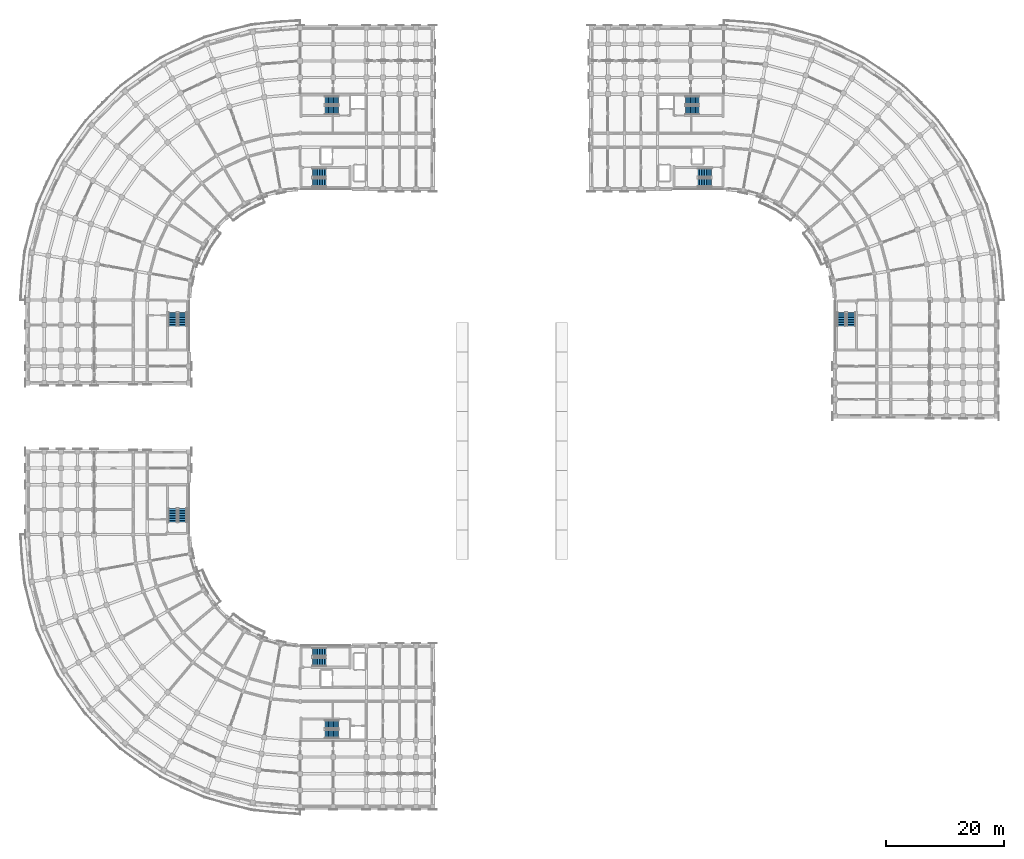
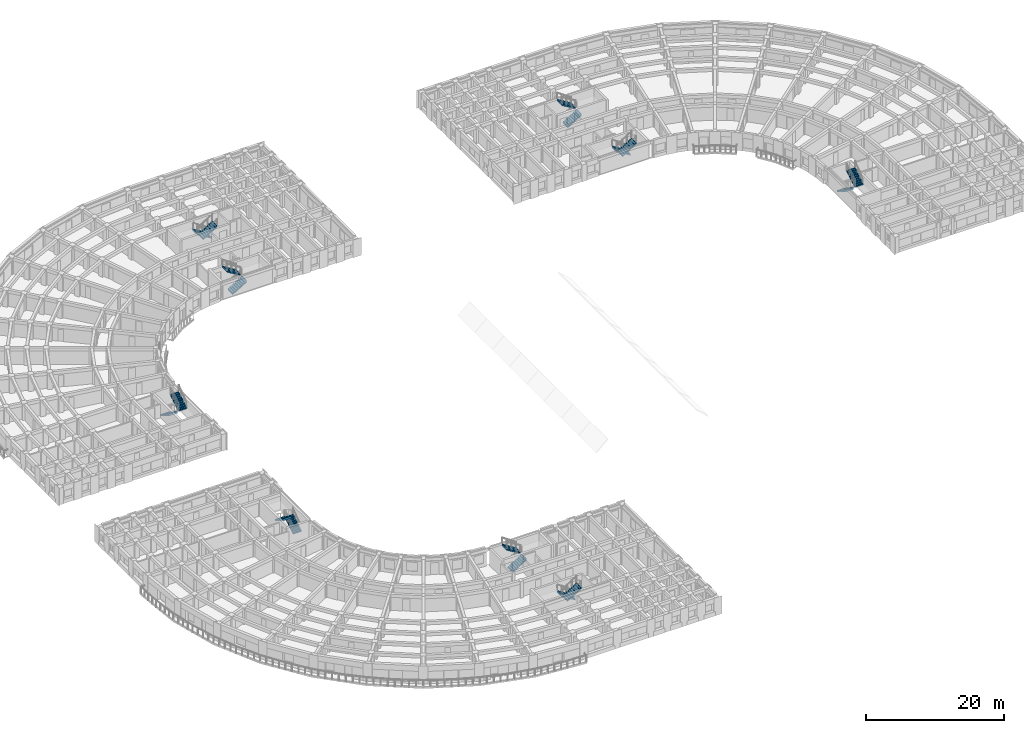
# One storey, part 37 of 54: 18 stair flights, 9 elements without a shape of their own.
"""IFC4 building model written with IfcOpenShell, lengths in metres."""

from ifc_helpers import new_model, si_unit, direction, frame, origin, place, context, subcontext, project, spatial, polyline, outline, extrude, material, type_object, element, aggregate, save


model = new_model("IFC4")

# Units and contexts
model_context = context("Model", 3, precision=1e-05, world=origin(), true_north=direction((0.0, 1.0)))
body_context = subcontext(model_context, "Body", "Model", "MODEL_VIEW")
ifc_project = project(units=[si_unit("LENGTHUNIT", "METRE"), si_unit("AREAUNIT", "SQUARE_METRE"), si_unit("VOLUMEUNIT", "CUBIC_METRE"), si_unit("PLANEANGLEUNIT", "RADIAN"), si_unit("MASSUNIT", "GRAM", prefix="KILO")], contexts=[model_context])

# Site, building, storey
site_placement = place(None, origin())
site = spatial("IfcSite", under=ifc_project, at=site_placement, CompositionType="ELEMENT")
building_placement = place(site_placement, origin())
building = spatial("IfcBuilding", under=site, at=building_placement, Name="Kiranvali Square Residences", CompositionType="ELEMENT")
storey_placement = place(building_placement, frame((0.0, 0.0, 11.85009765625)))
storey = spatial("IfcBuildingStorey", under=building, at=storey_placement, Name="L03", CompositionType="ELEMENT", Elevation=11.85009765625)

# Stair, stair flights
ifc_material = material(Name="Concrete M35 (35 MPa)", Category="concrete")
stair_type = type_object("IfcStairType", Name="ST-CORE-1700", PredefinedType="HALF_TURN_STAIR", material=ifc_material)
stair_1_placement = place(storey_placement, origin())
stair_1 = element("IfcStair", 1, at=stair_1_placement, inside=storey, type_object=stair_type, Name="L03 Block A Firefighting Exit Stair 1", PredefinedType="HALF_TURN_STAIR")
stair_flight_type = type_object("IfcStairFlightType", Name="STF-1700", PredefinedType="STRAIGHT", material=ifc_material)
stair_flight_1_placement = place(storey_placement, frame((54.699951171875, 121.52490234375, 0.0), z_axis=(0.0, 0.0, 1.0), x_axis=(-1.0, 0.0, 0.0)))
stair_flight_1 = element("IfcStairFlight", 2, at=stair_flight_1_placement, type_object=stair_flight_type, Name="ST-A1 flight 1", NumberOfRisers=9, NumberOfTreads=8, PredefinedType="STRAIGHT", RiserHeight=0.175, TreadLength=0.285, context=body_context, shape_type="SweptSolid", body=[
    extrude(outline(polyline([(-0.02001953125, -0.14990234375), (-0.02001953125, 0.0), (0.0, 0.0), (0.0, 0.175048828125), (0.284912109375, 0.175048828125), (0.284912109375, 0.35009765625), (0.570068359375, 0.35009765625), (0.570068359375, 0.52490234375), (0.85498046875, 0.52490234375), (0.85498046875, 0.699951171875), (1.139892578125, 0.699951171875), (1.139892578125, 0.875), (1.425048828125, 0.875), (1.425048828125, 1.050048828125), (1.7099609375, 1.050048828125), (1.7099609375, 1.22509765625), (1.9951171875, 1.22509765625), (1.9951171875, 1.39990234375), (2.280029296875, 1.39990234375), (2.280029296875, 1.574951171875), (2.300048828125, 1.574951171875), (2.300048828125, 1.22412109375), (2.280029296875, 1.22412109375), (0.0, -0.14990234375), (-0.02001953125, -0.14990234375)])), frame((0.0, 0.72509765625, 0.0), z_axis=(0.0, -1.0, 0.0), x_axis=(1.0, 0.0, 0.0)), (0.0, 0.0, 1.0), 1.449951171875),
])
stair_flight_2_placement = place(storey_placement, frame((52.419921875, 119.875, 1.574951171875), z_axis=(0.0, 0.0, 1.0), x_axis=(1.0, 0.0, 0.0)))
stair_flight_2 = element("IfcStairFlight", 3, at=stair_flight_2_placement, type_object=stair_flight_type, Name="ST-A1 flight 2", NumberOfRisers=9, NumberOfTreads=8, PredefinedType="STRAIGHT", RiserHeight=0.175, TreadLength=0.285, context=body_context, shape_type="SweptSolid", body=[
    extrude(outline(polyline([(-0.02001953125, -0.14990234375), (-0.02001953125, 0.0), (0.0, 0.0), (0.0, 0.175048828125), (0.284912109375, 0.175048828125), (0.284912109375, 0.35009765625), (0.570068359375, 0.35009765625), (0.570068359375, 0.52490234375), (0.85498046875, 0.52490234375), (0.85498046875, 0.699951171875), (1.139892578125, 0.699951171875), (1.139892578125, 0.875), (1.425048828125, 0.875), (1.425048828125, 1.050048828125), (1.7099609375, 1.050048828125), (1.7099609375, 1.22509765625), (1.9951171875, 1.22509765625), (1.9951171875, 1.39990234375), (2.280029296875, 1.39990234375), (2.280029296875, 1.574951171875), (2.300048828125, 1.574951171875), (2.300048828125, 1.22412109375), (2.280029296875, 1.22412109375), (0.0, -0.14990234375), (-0.02001953125, -0.14990234375)])), frame((0.0, 0.72509765625, 0.0), z_axis=(0.0, -1.0, 0.0), x_axis=(1.0, 0.0, 0.0)), (0.0, 0.0, 1.0), 1.449951171875),
])
aggregate(stair_1, [stair_flight_1, stair_flight_2])

stair_2_placement = place(storey_placement, origin())
stair_2 = element("IfcStair", 4, at=stair_2_placement, inside=storey, type_object=stair_type, Name="L03 Block A Protected Exit Stair 2", PredefinedType="HALF_TURN_STAIR")
stair_flight_3_placement = place(storey_placement, frame((50.300048828125, 107.675048828125, 0.0), z_axis=(0.0, 0.0, 1.0), x_axis=(1.0, 0.0, 0.0)))
stair_flight_3 = element("IfcStairFlight", 5, at=stair_flight_3_placement, type_object=stair_flight_type, Name="ST-A2 flight 1", NumberOfRisers=9, NumberOfTreads=8, PredefinedType="STRAIGHT", RiserHeight=0.175, TreadLength=0.285, context=body_context, shape_type="SweptSolid", body=[
    extrude(outline(polyline([(-0.02001953125, -0.14990234375), (-0.02001953125, 0.0), (0.0, 0.0), (0.0, 0.175048828125), (0.284912109375, 0.175048828125), (0.284912109375, 0.35009765625), (0.570068359375, 0.35009765625), (0.570068359375, 0.52490234375), (0.85498046875, 0.52490234375), (0.85498046875, 0.699951171875), (1.139892578125, 0.699951171875), (1.139892578125, 0.875), (1.425048828125, 0.875), (1.425048828125, 1.050048828125), (1.7099609375, 1.050048828125), (1.7099609375, 1.22509765625), (1.9951171875, 1.22509765625), (1.9951171875, 1.39990234375), (2.280029296875, 1.39990234375), (2.280029296875, 1.574951171875), (2.300048828125, 1.574951171875), (2.300048828125, 1.22412109375), (2.280029296875, 1.22412109375), (0.0, -0.14990234375), (-0.02001953125, -0.14990234375)])), frame((0.0, 0.72509765625, 0.0), z_axis=(0.0, -1.0, 0.0), x_axis=(1.0, 0.0, 0.0)), (0.0, 0.0, 1.0), 1.449951171875),
])
stair_flight_4_placement = place(storey_placement, frame((52.580078125, 109.324951171875, 1.574951171875), z_axis=(0.0, 0.0, 1.0), x_axis=(-1.0, 0.0, 0.0)))
stair_flight_4 = element("IfcStairFlight", 6, at=stair_flight_4_placement, type_object=stair_flight_type, Name="ST-A2 flight 2", NumberOfRisers=9, NumberOfTreads=8, PredefinedType="STRAIGHT", RiserHeight=0.175, TreadLength=0.285, context=body_context, shape_type="SweptSolid", body=[
    extrude(outline(polyline([(-0.02001953125, -0.14990234375), (-0.02001953125, 0.0), (0.0, 0.0), (0.0, 0.175048828125), (0.284912109375, 0.175048828125), (0.284912109375, 0.35009765625), (0.570068359375, 0.35009765625), (0.570068359375, 0.52490234375), (0.85498046875, 0.52490234375), (0.85498046875, 0.699951171875), (1.139892578125, 0.699951171875), (1.139892578125, 0.875), (1.425048828125, 0.875), (1.425048828125, 1.050048828125), (1.7099609375, 1.050048828125), (1.7099609375, 1.22509765625), (1.9951171875, 1.22509765625), (1.9951171875, 1.39990234375), (2.280029296875, 1.39990234375), (2.280029296875, 1.574951171875), (2.300048828125, 1.574951171875), (2.300048828125, 1.22412109375), (2.280029296875, 1.22412109375), (0.0, -0.14990234375), (-0.02001953125, -0.14990234375)])), frame((0.0, 0.72509765625, 0.0), z_axis=(0.0, -1.0, 0.0), x_axis=(1.0, 0.0, 0.0)), (0.0, 0.0, 1.0), 1.449951171875),
])
aggregate(stair_2, [stair_flight_3, stair_flight_4])

stair_3_placement = place(storey_placement, origin())
stair_3 = element("IfcStair", 7, at=stair_3_placement, inside=storey, type_object=stair_type, Name="L03 Block A Wing Protected Exit Stair 3", PredefinedType="HALF_TURN_STAIR")
stair_flight_5_placement = place(storey_placement, frame((26.675048828125, 85.699951171875, 0.0), z_axis=(0.0, 0.0, 1.0), x_axis=(0.0, -1.0, 0.0)))
stair_flight_5 = element("IfcStairFlight", 8, at=stair_flight_5_placement, type_object=stair_flight_type, Name="ST-A3 flight 1", NumberOfRisers=9, NumberOfTreads=8, PredefinedType="STRAIGHT", RiserHeight=0.175, TreadLength=0.285, context=body_context, shape_type="SweptSolid", body=[
    extrude(outline(polyline([(-0.02001953125, -0.14990234375), (-0.02001953125, 0.0), (0.0, 0.0), (0.0, 0.175048828125), (0.284912109375, 0.175048828125), (0.284912109375, 0.35009765625), (0.570068359375, 0.35009765625), (0.570068359375, 0.52490234375), (0.85498046875, 0.52490234375), (0.85498046875, 0.699951171875), (1.139892578125, 0.699951171875), (1.139892578125, 0.875), (1.425048828125, 0.875), (1.425048828125, 1.050048828125), (1.7099609375, 1.050048828125), (1.7099609375, 1.22509765625), (1.9951171875, 1.22509765625), (1.9951171875, 1.39990234375), (2.280029296875, 1.39990234375), (2.280029296875, 1.574951171875), (2.300048828125, 1.574951171875), (2.300048828125, 1.22412109375), (2.280029296875, 1.22412109375), (0.0, -0.14990234375), (-0.02001953125, -0.14990234375)])), frame((0.0, 0.72509765625, 0.0), z_axis=(0.0, -1.0, 0.0), x_axis=(1.0, 0.0, 0.0)), (0.0, 0.0, 1.0), 1.449951171875),
])
stair_flight_6_placement = place(storey_placement, frame((28.324951171875, 83.419921875, 1.574951171875), z_axis=(0.0, 0.0, 1.0), x_axis=(0.0, 1.0, 0.0)))
stair_flight_6 = element("IfcStairFlight", 9, at=stair_flight_6_placement, type_object=stair_flight_type, Name="ST-A3 flight 2", NumberOfRisers=9, NumberOfTreads=8, PredefinedType="STRAIGHT", RiserHeight=0.175, TreadLength=0.285, context=body_context, shape_type="SweptSolid", body=[
    extrude(outline(polyline([(-0.02001953125, -0.14990234375), (-0.02001953125, 0.0), (0.0, 0.0), (0.0, 0.175048828125), (0.284912109375, 0.175048828125), (0.284912109375, 0.35009765625), (0.570068359375, 0.35009765625), (0.570068359375, 0.52490234375), (0.85498046875, 0.52490234375), (0.85498046875, 0.699951171875), (1.139892578125, 0.699951171875), (1.139892578125, 0.875), (1.425048828125, 0.875), (1.425048828125, 1.050048828125), (1.7099609375, 1.050048828125), (1.7099609375, 1.22509765625), (1.9951171875, 1.22509765625), (1.9951171875, 1.39990234375), (2.280029296875, 1.39990234375), (2.280029296875, 1.574951171875), (2.300048828125, 1.574951171875), (2.300048828125, 1.22412109375), (2.280029296875, 1.22412109375), (0.0, -0.14990234375), (-0.02001953125, -0.14990234375)])), frame((0.0, 0.72509765625, 0.0), z_axis=(0.0, -1.0, 0.0), x_axis=(1.0, 0.0, 0.0)), (0.0, 0.0, 1.0), 1.449951171875),
])
aggregate(stair_3, [stair_flight_5, stair_flight_6])

stair_4_placement = place(storey_placement, origin())
stair_4 = element("IfcStair", 10, at=stair_4_placement, inside=storey, type_object=stair_type, Name="L03 Block B Firefighting Exit Stair 1", PredefinedType="HALF_TURN_STAIR")
stair_flight_7_placement = place(storey_placement, frame((113.300048828125, 119.875, 0.0), z_axis=(0.0, 0.0, 1.0), x_axis=(1.0, 0.0, 0.0)))
stair_flight_7 = element("IfcStairFlight", 11, at=stair_flight_7_placement, type_object=stair_flight_type, Name="ST-B1 flight 1", NumberOfRisers=9, NumberOfTreads=8, PredefinedType="STRAIGHT", RiserHeight=0.175, TreadLength=0.285, context=body_context, shape_type="SweptSolid", body=[
    extrude(outline(polyline([(-0.02001953125, -0.14990234375), (-0.02001953125, 0.0), (0.0, 0.0), (0.0, 0.175048828125), (0.284912109375, 0.175048828125), (0.284912109375, 0.35009765625), (0.570068359375, 0.35009765625), (0.570068359375, 0.52490234375), (0.85498046875, 0.52490234375), (0.85498046875, 0.699951171875), (1.139892578125, 0.699951171875), (1.139892578125, 0.875), (1.425048828125, 0.875), (1.425048828125, 1.050048828125), (1.7099609375, 1.050048828125), (1.7099609375, 1.22509765625), (1.9951171875, 1.22509765625), (1.9951171875, 1.39990234375), (2.280029296875, 1.39990234375), (2.280029296875, 1.574951171875), (2.300048828125, 1.574951171875), (2.300048828125, 1.22412109375), (2.280029296875, 1.22412109375), (0.0, -0.14990234375), (-0.02001953125, -0.14990234375)])), frame((0.0, 0.72509765625, 0.0), z_axis=(0.0, -1.0, 0.0), x_axis=(1.0, 0.0, 0.0)), (0.0, 0.0, 1.0), 1.449951171875),
])
stair_flight_8_placement = place(storey_placement, frame((115.580078125, 121.52490234375, 1.574951171875), z_axis=(0.0, 0.0, 1.0), x_axis=(-1.0, 0.0, 0.0)))
stair_flight_8 = element("IfcStairFlight", 12, at=stair_flight_8_placement, type_object=stair_flight_type, Name="ST-B1 flight 2", NumberOfRisers=9, NumberOfTreads=8, PredefinedType="STRAIGHT", RiserHeight=0.175, TreadLength=0.285, context=body_context, shape_type="SweptSolid", body=[
    extrude(outline(polyline([(-0.02001953125, -0.14990234375), (-0.02001953125, 0.0), (0.0, 0.0), (0.0, 0.175048828125), (0.284912109375, 0.175048828125), (0.284912109375, 0.35009765625), (0.570068359375, 0.35009765625), (0.570068359375, 0.52490234375), (0.85498046875, 0.52490234375), (0.85498046875, 0.699951171875), (1.139892578125, 0.699951171875), (1.139892578125, 0.875), (1.425048828125, 0.875), (1.425048828125, 1.050048828125), (1.7099609375, 1.050048828125), (1.7099609375, 1.22509765625), (1.9951171875, 1.22509765625), (1.9951171875, 1.39990234375), (2.280029296875, 1.39990234375), (2.280029296875, 1.574951171875), (2.300048828125, 1.574951171875), (2.300048828125, 1.22412109375), (2.280029296875, 1.22412109375), (0.0, -0.14990234375), (-0.02001953125, -0.14990234375)])), frame((0.0, 0.72509765625, 0.0), z_axis=(0.0, -1.0, 0.0), x_axis=(1.0, 0.0, 0.0)), (0.0, 0.0, 1.0), 1.449951171875),
])
aggregate(stair_4, [stair_flight_7, stair_flight_8])

stair_5_placement = place(storey_placement, origin())
stair_5 = element("IfcStair", 13, at=stair_5_placement, inside=storey, type_object=stair_type, Name="L03 Block B Protected Exit Stair 2", PredefinedType="HALF_TURN_STAIR")
stair_flight_9_placement = place(storey_placement, frame((117.699951171875, 109.324951171875, 0.0), z_axis=(0.0, 0.0, 1.0), x_axis=(-1.0, 0.0, 0.0)))
stair_flight_9 = element("IfcStairFlight", 14, at=stair_flight_9_placement, type_object=stair_flight_type, Name="ST-B2 flight 1", NumberOfRisers=9, NumberOfTreads=8, PredefinedType="STRAIGHT", RiserHeight=0.175, TreadLength=0.285, context=body_context, shape_type="SweptSolid", body=[
    extrude(outline(polyline([(-0.02001953125, -0.14990234375), (-0.02001953125, 0.0), (0.0, 0.0), (0.0, 0.175048828125), (0.284912109375, 0.175048828125), (0.284912109375, 0.35009765625), (0.570068359375, 0.35009765625), (0.570068359375, 0.52490234375), (0.85498046875, 0.52490234375), (0.85498046875, 0.699951171875), (1.139892578125, 0.699951171875), (1.139892578125, 0.875), (1.425048828125, 0.875), (1.425048828125, 1.050048828125), (1.7099609375, 1.050048828125), (1.7099609375, 1.22509765625), (1.9951171875, 1.22509765625), (1.9951171875, 1.39990234375), (2.280029296875, 1.39990234375), (2.280029296875, 1.574951171875), (2.300048828125, 1.574951171875), (2.300048828125, 1.22412109375), (2.280029296875, 1.22412109375), (0.0, -0.14990234375), (-0.02001953125, -0.14990234375)])), frame((0.0, 0.72509765625, 0.0), z_axis=(0.0, -1.0, 0.0), x_axis=(1.0, 0.0, 0.0)), (0.0, 0.0, 1.0), 1.449951171875),
])
stair_flight_10_placement = place(storey_placement, frame((115.419921875, 107.675048828125, 1.574951171875), z_axis=(0.0, 0.0, 1.0), x_axis=(1.0, 0.0, 0.0)))
stair_flight_10 = element("IfcStairFlight", 15, at=stair_flight_10_placement, type_object=stair_flight_type, Name="ST-B2 flight 2", NumberOfRisers=9, NumberOfTreads=8, PredefinedType="STRAIGHT", RiserHeight=0.175, TreadLength=0.285, context=body_context, shape_type="SweptSolid", body=[
    extrude(outline(polyline([(-0.02001953125, -0.14990234375), (-0.02001953125, 0.0), (0.0, 0.0), (0.0, 0.175048828125), (0.284912109375, 0.175048828125), (0.284912109375, 0.35009765625), (0.570068359375, 0.35009765625), (0.570068359375, 0.52490234375), (0.85498046875, 0.52490234375), (0.85498046875, 0.699951171875), (1.139892578125, 0.699951171875), (1.139892578125, 0.875), (1.425048828125, 0.875), (1.425048828125, 1.050048828125), (1.7099609375, 1.050048828125), (1.7099609375, 1.22509765625), (1.9951171875, 1.22509765625), (1.9951171875, 1.39990234375), (2.280029296875, 1.39990234375), (2.280029296875, 1.574951171875), (2.300048828125, 1.574951171875), (2.300048828125, 1.22412109375), (2.280029296875, 1.22412109375), (0.0, -0.14990234375), (-0.02001953125, -0.14990234375)])), frame((0.0, 0.72509765625, 0.0), z_axis=(0.0, -1.0, 0.0), x_axis=(1.0, 0.0, 0.0)), (0.0, 0.0, 1.0), 1.449951171875),
])
aggregate(stair_5, [stair_flight_9, stair_flight_10])

stair_6_placement = place(storey_placement, origin())
stair_6 = element("IfcStair", 16, at=stair_6_placement, inside=storey, type_object=stair_type, Name="L03 Block B Wing Protected Exit Stair 3", PredefinedType="HALF_TURN_STAIR")
stair_flight_11_placement = place(storey_placement, frame((139.675048828125, 85.699951171875, 0.0), z_axis=(0.0, 0.0, 1.0), x_axis=(0.0, -1.0, 0.0)))
stair_flight_11 = element("IfcStairFlight", 17, at=stair_flight_11_placement, type_object=stair_flight_type, Name="ST-B3 flight 1", NumberOfRisers=9, NumberOfTreads=8, PredefinedType="STRAIGHT", RiserHeight=0.175, TreadLength=0.285, context=body_context, shape_type="SweptSolid", body=[
    extrude(outline(polyline([(-0.02001953125, -0.14990234375), (-0.02001953125, 0.0), (0.0, 0.0), (0.0, 0.175048828125), (0.284912109375, 0.175048828125), (0.284912109375, 0.35009765625), (0.570068359375, 0.35009765625), (0.570068359375, 0.52490234375), (0.85498046875, 0.52490234375), (0.85498046875, 0.699951171875), (1.139892578125, 0.699951171875), (1.139892578125, 0.875), (1.425048828125, 0.875), (1.425048828125, 1.050048828125), (1.7099609375, 1.050048828125), (1.7099609375, 1.22509765625), (1.9951171875, 1.22509765625), (1.9951171875, 1.39990234375), (2.280029296875, 1.39990234375), (2.280029296875, 1.574951171875), (2.300048828125, 1.574951171875), (2.300048828125, 1.22412109375), (2.280029296875, 1.22412109375), (0.0, -0.14990234375), (-0.02001953125, -0.14990234375)])), frame((0.0, 0.72509765625, 0.0), z_axis=(0.0, -1.0, 0.0), x_axis=(1.0, 0.0, 0.0)), (0.0, 0.0, 1.0), 1.449951171875),
])
stair_flight_12_placement = place(storey_placement, frame((141.324951171875, 83.419921875, 1.574951171875), z_axis=(0.0, 0.0, 1.0), x_axis=(0.0, 1.0, 0.0)))
stair_flight_12 = element("IfcStairFlight", 18, at=stair_flight_12_placement, type_object=stair_flight_type, Name="ST-B3 flight 2", NumberOfRisers=9, NumberOfTreads=8, PredefinedType="STRAIGHT", RiserHeight=0.175, TreadLength=0.285, context=body_context, shape_type="SweptSolid", body=[
    extrude(outline(polyline([(-0.02001953125, -0.14990234375), (-0.02001953125, 0.0), (0.0, 0.0), (0.0, 0.175048828125), (0.284912109375, 0.175048828125), (0.284912109375, 0.35009765625), (0.570068359375, 0.35009765625), (0.570068359375, 0.52490234375), (0.85498046875, 0.52490234375), (0.85498046875, 0.699951171875), (1.139892578125, 0.699951171875), (1.139892578125, 0.875), (1.425048828125, 0.875), (1.425048828125, 1.050048828125), (1.7099609375, 1.050048828125), (1.7099609375, 1.22509765625), (1.9951171875, 1.22509765625), (1.9951171875, 1.39990234375), (2.280029296875, 1.39990234375), (2.280029296875, 1.574951171875), (2.300048828125, 1.574951171875), (2.300048828125, 1.22412109375), (2.280029296875, 1.22412109375), (0.0, -0.14990234375), (-0.02001953125, -0.14990234375)])), frame((0.0, 0.72509765625, 0.0), z_axis=(0.0, -1.0, 0.0), x_axis=(1.0, 0.0, 0.0)), (0.0, 0.0, 1.0), 1.449951171875),
])
aggregate(stair_6, [stair_flight_11, stair_flight_12])

stair_7_placement = place(storey_placement, origin())
stair_7 = element("IfcStair", 19, at=stair_7_placement, inside=storey, type_object=stair_type, Name="L03 Block C Firefighting Exit Stair 1", PredefinedType="HALF_TURN_STAIR")
stair_flight_13_placement = place(storey_placement, frame((54.699951171875, 16.125, 0.0), z_axis=(0.0, 0.0, 1.0), x_axis=(-1.0, 0.0, 0.0)))
stair_flight_13 = element("IfcStairFlight", 20, at=stair_flight_13_placement, type_object=stair_flight_type, Name="ST-C1 flight 1", NumberOfRisers=9, NumberOfTreads=8, PredefinedType="STRAIGHT", RiserHeight=0.175, TreadLength=0.285, context=body_context, shape_type="SweptSolid", body=[
    extrude(outline(polyline([(-0.02001953125, -0.14990234375), (-0.02001953125, 0.0), (0.0, 0.0), (0.0, 0.175048828125), (0.284912109375, 0.175048828125), (0.284912109375, 0.35009765625), (0.570068359375, 0.35009765625), (0.570068359375, 0.52490234375), (0.85498046875, 0.52490234375), (0.85498046875, 0.699951171875), (1.139892578125, 0.699951171875), (1.139892578125, 0.875), (1.425048828125, 0.875), (1.425048828125, 1.050048828125), (1.7099609375, 1.050048828125), (1.7099609375, 1.22509765625), (1.9951171875, 1.22509765625), (1.9951171875, 1.39990234375), (2.280029296875, 1.39990234375), (2.280029296875, 1.574951171875), (2.300048828125, 1.574951171875), (2.300048828125, 1.22412109375), (2.280029296875, 1.22412109375), (0.0, -0.14990234375), (-0.02001953125, -0.14990234375)])), frame((0.0, 0.72509765625, 0.0), z_axis=(0.0, -1.0, 0.0), x_axis=(1.0, 0.0, 0.0)), (0.0, 0.0, 1.0), 1.449951171875),
])
stair_flight_14_placement = place(storey_placement, frame((52.419921875, 14.47509765625, 1.574951171875), z_axis=(0.0, 0.0, 1.0), x_axis=(1.0, 0.0, 0.0)))
stair_flight_14 = element("IfcStairFlight", 21, at=stair_flight_14_placement, type_object=stair_flight_type, Name="ST-C1 flight 2", NumberOfRisers=9, NumberOfTreads=8, PredefinedType="STRAIGHT", RiserHeight=0.175, TreadLength=0.285, context=body_context, shape_type="SweptSolid", body=[
    extrude(outline(polyline([(-0.02001953125, -0.14990234375), (-0.02001953125, 0.0), (0.0, 0.0), (0.0, 0.175048828125), (0.284912109375, 0.175048828125), (0.284912109375, 0.35009765625), (0.570068359375, 0.35009765625), (0.570068359375, 0.52490234375), (0.85498046875, 0.52490234375), (0.85498046875, 0.699951171875), (1.139892578125, 0.699951171875), (1.139892578125, 0.875), (1.425048828125, 0.875), (1.425048828125, 1.050048828125), (1.7099609375, 1.050048828125), (1.7099609375, 1.22509765625), (1.9951171875, 1.22509765625), (1.9951171875, 1.39990234375), (2.280029296875, 1.39990234375), (2.280029296875, 1.574951171875), (2.300048828125, 1.574951171875), (2.300048828125, 1.22412109375), (2.280029296875, 1.22412109375), (0.0, -0.14990234375), (-0.02001953125, -0.14990234375)])), frame((0.0, 0.72509765625, 0.0), z_axis=(0.0, -1.0, 0.0), x_axis=(1.0, 0.0, 0.0)), (0.0, 0.0, 1.0), 1.449951171875),
])
aggregate(stair_7, [stair_flight_13, stair_flight_14])

stair_8_placement = place(storey_placement, origin())
stair_8 = element("IfcStair", 22, at=stair_8_placement, inside=storey, type_object=stair_type, Name="L03 Block C Protected Exit Stair 2", PredefinedType="HALF_TURN_STAIR")
stair_flight_15_placement = place(storey_placement, frame((50.300048828125, 26.675048828125, 0.0), z_axis=(0.0, 0.0, 1.0), x_axis=(1.0, 0.0, 0.0)))
stair_flight_15 = element("IfcStairFlight", 23, at=stair_flight_15_placement, type_object=stair_flight_type, Name="ST-C2 flight 1", NumberOfRisers=9, NumberOfTreads=8, PredefinedType="STRAIGHT", RiserHeight=0.175, TreadLength=0.285, context=body_context, shape_type="SweptSolid", body=[
    extrude(outline(polyline([(-0.02001953125, -0.14990234375), (-0.02001953125, 0.0), (0.0, 0.0), (0.0, 0.175048828125), (0.284912109375, 0.175048828125), (0.284912109375, 0.35009765625), (0.570068359375, 0.35009765625), (0.570068359375, 0.52490234375), (0.85498046875, 0.52490234375), (0.85498046875, 0.699951171875), (1.139892578125, 0.699951171875), (1.139892578125, 0.875), (1.425048828125, 0.875), (1.425048828125, 1.050048828125), (1.7099609375, 1.050048828125), (1.7099609375, 1.22509765625), (1.9951171875, 1.22509765625), (1.9951171875, 1.39990234375), (2.280029296875, 1.39990234375), (2.280029296875, 1.574951171875), (2.300048828125, 1.574951171875), (2.300048828125, 1.22412109375), (2.280029296875, 1.22412109375), (0.0, -0.14990234375), (-0.02001953125, -0.14990234375)])), frame((0.0, 0.72509765625, 0.0), z_axis=(0.0, -1.0, 0.0), x_axis=(1.0, 0.0, 0.0)), (0.0, 0.0, 1.0), 1.449951171875),
])
stair_flight_16_placement = place(storey_placement, frame((52.580078125, 28.324951171875, 1.574951171875), z_axis=(0.0, 0.0, 1.0), x_axis=(-1.0, 0.0, 0.0)))
stair_flight_16 = element("IfcStairFlight", 24, at=stair_flight_16_placement, type_object=stair_flight_type, Name="ST-C2 flight 2", NumberOfRisers=9, NumberOfTreads=8, PredefinedType="STRAIGHT", RiserHeight=0.175, TreadLength=0.285, context=body_context, shape_type="SweptSolid", body=[
    extrude(outline(polyline([(-0.02001953125, -0.14990234375), (-0.02001953125, 0.0), (0.0, 0.0), (0.0, 0.175048828125), (0.284912109375, 0.175048828125), (0.284912109375, 0.35009765625), (0.570068359375, 0.35009765625), (0.570068359375, 0.52490234375), (0.85498046875, 0.52490234375), (0.85498046875, 0.699951171875), (1.139892578125, 0.699951171875), (1.139892578125, 0.875), (1.425048828125, 0.875), (1.425048828125, 1.050048828125), (1.7099609375, 1.050048828125), (1.7099609375, 1.22509765625), (1.9951171875, 1.22509765625), (1.9951171875, 1.39990234375), (2.280029296875, 1.39990234375), (2.280029296875, 1.574951171875), (2.300048828125, 1.574951171875), (2.300048828125, 1.22412109375), (2.280029296875, 1.22412109375), (0.0, -0.14990234375), (-0.02001953125, -0.14990234375)])), frame((0.0, 0.72509765625, 0.0), z_axis=(0.0, -1.0, 0.0), x_axis=(1.0, 0.0, 0.0)), (0.0, 0.0, 1.0), 1.449951171875),
])
aggregate(stair_8, [stair_flight_15, stair_flight_16])

stair_9_placement = place(storey_placement, origin())
stair_9 = element("IfcStair", 25, at=stair_9_placement, inside=storey, type_object=stair_type, Name="L03 Block C Wing Protected Exit Stair 3", PredefinedType="HALF_TURN_STAIR")
stair_flight_17_placement = place(storey_placement, frame((28.324951171875, 50.300048828125, 0.0), z_axis=(0.0, 0.0, 1.0), x_axis=(0.0, 1.0, 0.0)))
stair_flight_17 = element("IfcStairFlight", 26, at=stair_flight_17_placement, type_object=stair_flight_type, Name="ST-C3 flight 1", NumberOfRisers=9, NumberOfTreads=8, PredefinedType="STRAIGHT", RiserHeight=0.175, TreadLength=0.285, context=body_context, shape_type="SweptSolid", body=[
    extrude(outline(polyline([(-0.02001953125, -0.14990234375), (-0.02001953125, 0.0), (0.0, 0.0), (0.0, 0.175048828125), (0.284912109375, 0.175048828125), (0.284912109375, 0.35009765625), (0.570068359375, 0.35009765625), (0.570068359375, 0.52490234375), (0.85498046875, 0.52490234375), (0.85498046875, 0.699951171875), (1.139892578125, 0.699951171875), (1.139892578125, 0.875), (1.425048828125, 0.875), (1.425048828125, 1.050048828125), (1.7099609375, 1.050048828125), (1.7099609375, 1.22509765625), (1.9951171875, 1.22509765625), (1.9951171875, 1.39990234375), (2.280029296875, 1.39990234375), (2.280029296875, 1.574951171875), (2.300048828125, 1.574951171875), (2.300048828125, 1.22412109375), (2.280029296875, 1.22412109375), (0.0, -0.14990234375), (-0.02001953125, -0.14990234375)])), frame((0.0, 0.72509765625, 0.0), z_axis=(0.0, -1.0, 0.0), x_axis=(1.0, 0.0, 0.0)), (0.0, 0.0, 1.0), 1.449951171875),
])
stair_flight_18_placement = place(storey_placement, frame((26.675048828125, 52.580078125, 1.574951171875), z_axis=(0.0, 0.0, 1.0), x_axis=(0.0, -1.0, 0.0)))
stair_flight_18 = element("IfcStairFlight", 27, at=stair_flight_18_placement, type_object=stair_flight_type, Name="ST-C3 flight 2", NumberOfRisers=9, NumberOfTreads=8, PredefinedType="STRAIGHT", RiserHeight=0.175, TreadLength=0.285, context=body_context, shape_type="SweptSolid", body=[
    extrude(outline(polyline([(-0.02001953125, -0.14990234375), (-0.02001953125, 0.0), (0.0, 0.0), (0.0, 0.175048828125), (0.284912109375, 0.175048828125), (0.284912109375, 0.35009765625), (0.570068359375, 0.35009765625), (0.570068359375, 0.52490234375), (0.85498046875, 0.52490234375), (0.85498046875, 0.699951171875), (1.139892578125, 0.699951171875), (1.139892578125, 0.875), (1.425048828125, 0.875), (1.425048828125, 1.050048828125), (1.7099609375, 1.050048828125), (1.7099609375, 1.22509765625), (1.9951171875, 1.22509765625), (1.9951171875, 1.39990234375), (2.280029296875, 1.39990234375), (2.280029296875, 1.574951171875), (2.300048828125, 1.574951171875), (2.300048828125, 1.22412109375), (2.280029296875, 1.22412109375), (0.0, -0.14990234375), (-0.02001953125, -0.14990234375)])), frame((0.0, 0.72509765625, 0.0), z_axis=(0.0, -1.0, 0.0), x_axis=(1.0, 0.0, 0.0)), (0.0, 0.0, 1.0), 1.449951171875),
])
aggregate(stair_9, [stair_flight_17, stair_flight_18])

save(model, "model.ifc")
